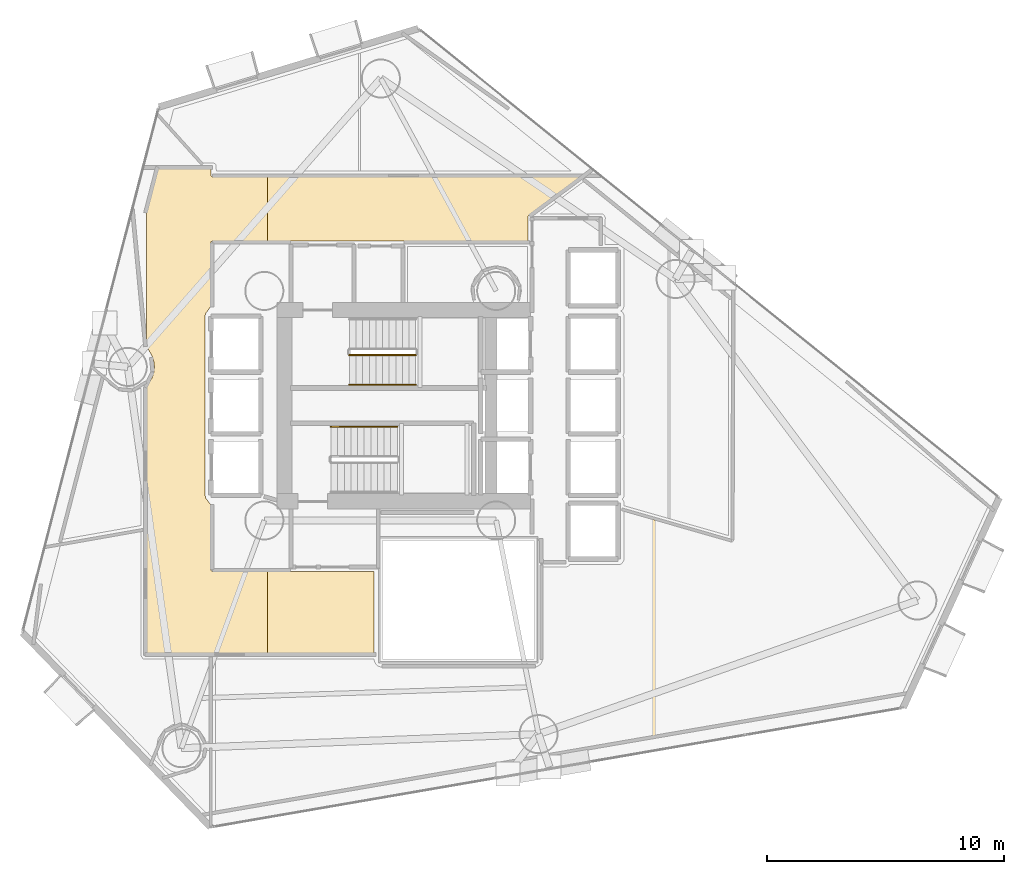
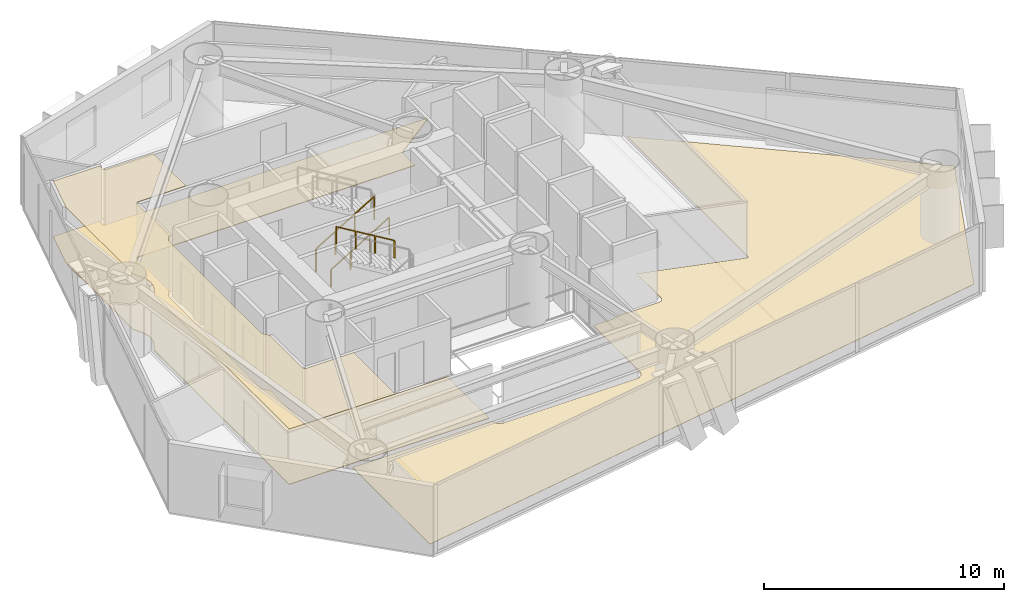
# One storey, part 21 of 23: 3 coverings, 3 railings.
"""IFC4 building model written with IfcOpenShell, lengths in metres."""

from ifc_helpers import new_model, si_unit, direction, frame, origin, origin_2d, place, context, subcontext, project, spatial, polyline, rectangle, outline, extrude, material, layer, layer_set, type_object, element, save


model = new_model("IFC4")

# Units and contexts
model_context = context("Model", 3, precision=1e-05, world=origin(), true_north=direction((0.0, 1.0)))
body_context = subcontext(model_context, "Body", "Model", "MODEL_VIEW")
ifc_project = project(units=[si_unit("LENGTHUNIT", "METRE"), si_unit("AREAUNIT", "SQUARE_METRE"), si_unit("VOLUMEUNIT", "CUBIC_METRE"), si_unit("PLANEANGLEUNIT", "RADIAN"), si_unit("MASSUNIT", "GRAM", prefix="KILO")], contexts=[model_context])

# Site, building, storey
site_placement = place(None, origin())
site = spatial("IfcSite", under=ifc_project, at=site_placement, CompositionType="ELEMENT")
building_placement = place(site_placement, origin())
building = spatial("IfcBuilding", under=site, at=building_placement, Name="Qianvela Tower", CompositionType="ELEMENT")
storey_placement = place(building_placement, frame((0.0, 0.0, 82.10009765625)))
storey = spatial("IfcBuildingStorey", under=building, at=storey_placement, Name="L20", CompositionType="ELEMENT", Elevation=82.10009765625)

# Coverings
ifc_material_1 = material(Name="Perforated Mineral Acoustic Ceiling Tile")
ifc_layer_1 = layer(ifc_material_1, 0.02490234375)
ifc_layer_set_1 = layer_set([ifc_layer_1], Name="Perforated Mineral Acoustic Ceiling Tile")
covering_type_1 = type_object("IfcCoveringType", Name="COV-CEIL-ACOUSTIC-25", PredefinedType="CEILING", material=ifc_layer_set_1)
covering_1_placement = place(storey_placement, frame((0.0, 0.0, 2.81494140625)))
element("IfcCovering", 1, at=covering_1_placement, inside=storey, type_object=covering_type_1, Name="L20 Acoustic Ceiling Bay 1 L20 Floor Corridor", PredefinedType="CEILING", context=body_context, shape_type="SweptSolid", body=[
    extrude(outline(polyline([(23.868408203125, 30.7705078125), (23.864990234375, 30.777587890625), (23.6298828125, 31.21728515625), (23.6298828125, 36.85400390625), (24.11474609375, 38.719970703125), (26.340087890625, 38.719970703125), (26.340087890625, 38.449951171875), (26.34033203125, 38.442138671875), (26.341552734375, 38.434326171875), (26.343505859375, 38.4267578125), (26.34619140625, 38.41943359375), (26.349365234375, 38.412353515625), (26.353515625, 38.405517578125), (26.358154296875, 38.399169921875), (26.36328125, 38.393310546875), (26.369140625, 38.38818359375), (26.37548828125, 38.383544921875), (26.38232421875, 38.37939453125), (26.389404296875, 38.376220703125), (26.396728515625, 38.373291015625), (26.404296875, 38.37158203125), (26.412109375, 38.370361328125), (26.419921875, 38.3701171875), (28.72802734375, 38.3701171875), (28.72802734375, 35.659912109375), (26.419921875, 35.659912109375), (26.412109375, 35.65966796875), (26.404296875, 35.658447265625), (26.396728515625, 35.656494140625), (26.389404296875, 35.65380859375), (26.38232421875, 35.650634765625), (26.37548828125, 35.646484375), (26.369140625, 35.641845703125), (26.36328125, 35.63671875), (26.358154296875, 35.630859375), (26.353515625, 35.62451171875), (26.349365234375, 35.61767578125), (26.34619140625, 35.610595703125), (26.343505859375, 35.603271484375), (26.341552734375, 35.595703125), (26.34033203125, 35.587890625), (26.340087890625, 35.580078125), (26.340087890625, 32.89599609375), (26.139404296875, 32.62548828125), (26.135498046875, 32.61962890625), (26.132080078125, 32.61376953125), (26.12939453125, 32.607421875), (26.126953125, 32.60107421875), (26.103515625, 32.523193359375), (26.1015625, 32.515625), (26.100341796875, 32.5078125), (26.10009765625, 32.5), (26.10009765625, 24.89990234375), (26.100341796875, 24.89208984375), (26.1015625, 24.884521484375), (26.103515625, 24.876708984375), (26.126953125, 24.799072265625), (26.12939453125, 24.79248046875), (26.132080078125, 24.786376953125), (26.135498046875, 24.7802734375), (26.139404296875, 24.774658203125), (26.340087890625, 24.50390625), (26.340087890625, 21.780029296875), (26.34033203125, 21.772216796875), (26.341552734375, 21.764404296875), (26.343505859375, 21.7568359375), (26.34619140625, 21.74951171875), (26.349365234375, 21.7421875), (26.353515625, 21.735595703125), (26.358154296875, 21.729248046875), (26.36328125, 21.723388671875), (26.369140625, 21.71826171875), (26.37548828125, 21.71337890625), (26.38232421875, 21.70947265625), (26.389404296875, 21.7060546875), (26.396728515625, 21.703369140625), (26.404296875, 21.701416015625), (26.412109375, 21.700439453125), (26.419921875, 21.699951171875), (28.72802734375, 21.699951171875), (28.72802734375, 18.22998046875), (23.6298828125, 18.22998046875), (23.6298828125, 29.462646484375), (23.864990234375, 29.90234375), (23.868408203125, 29.909423828125), (23.87109375, 29.9169921875), (23.930419921875, 30.11279296875), (23.932373046875, 30.12060546875), (23.93359375, 30.12841796875), (23.95361328125, 30.332275390625), (23.9541015625, 30.340087890625), (23.95361328125, 30.347900390625), (23.93359375, 30.5517578125), (23.932373046875, 30.5595703125), (23.930419921875, 30.567138671875), (23.87109375, 30.76318359375), (23.868408203125, 30.7705078125)])), origin(), (0.0, 0.0, 1.0), 0.02490234375),
])
ifc_material_2 = material(Name="Engineered Acoustic Oak Timber Flooring", Category="wood")
ifc_layer_2 = layer(ifc_material_2, 0.02001953125)
ifc_layer_set_2 = layer_set([ifc_layer_2], Name="Engineered Acoustic Oak Timber Flooring")
covering_type_2 = type_object("IfcCoveringType", Name="COV-FLOOR-OAK-20", PredefinedType="FLOORING", material=ifc_layer_set_2)
covering_2_placement = place(storey_placement, origin())
element("IfcCovering", 2, at=covering_2_placement, inside=storey, type_object=covering_type_2, Name="L20 Finish Flooring Graduate Seminar Classroom L20-02", PredefinedType="FLOORING", context=body_context, shape_type="SweptSolid", body=[
    extrude(outline(polyline([(48.432861328125, 33.076416015625), (59.172119140625, 24.406982421875), (55.584716796875, 16.56494140625), (26.5322265625, 11.55029296875), (26.5322265625, 17.989990234375), (33.243408203125, 17.989990234375), (33.24560546875, 17.94189453125), (33.24609375, 17.93505859375), (33.247314453125, 17.927978515625), (33.2490234375, 17.92138671875), (33.25146484375, 17.914794921875), (33.293212890625, 17.813720703125), (33.296630859375, 17.806640625), (33.30078125, 17.800048828125), (33.305419921875, 17.793701171875), (33.310546875, 17.787841796875), (33.387939453125, 17.710693359375), (33.39306640625, 17.705810546875), (33.398681640625, 17.70166015625), (33.40478515625, 17.69775390625), (33.410888671875, 17.694580078125), (33.41748046875, 17.69189453125), (33.545654296875, 17.64599609375), (33.55224609375, 17.64404296875), (33.558837890625, 17.642578125), (33.565673828125, 17.6416015625), (33.572509765625, 17.641357421875), (40.0546875, 17.6455078125), (40.063232421875, 17.64599609375), (40.07177734375, 17.647216796875), (40.080078125, 17.6494140625), (40.088134765625, 17.652587890625), (40.095703125, 17.65673828125), (40.257568359375, 17.75390625), (40.263671875, 17.7578125), (40.269287109375, 17.76220703125), (40.274658203125, 17.767333984375), (40.279296875, 17.77294921875), (40.28369140625, 17.77880859375), (40.287353515625, 17.78515625), (40.290283203125, 17.791748046875), (40.3525390625, 17.94189453125), (40.355224609375, 17.94921875), (40.357177734375, 17.956787109375), (40.3583984375, 17.964599609375), (40.358642578125, 17.972412109375), (40.360107421875, 21.889892578125), (41.367919921875, 21.890380859375), (41.375732421875, 21.890869140625), (41.383544921875, 21.891845703125), (41.39111328125, 21.893798828125), (41.3984375, 21.896484375), (41.405517578125, 21.89990234375), (41.45947265625, 21.9287109375), (41.46630859375, 21.932861328125), (41.472900390625, 21.9375), (41.478759765625, 21.943115234375), (41.48388671875, 21.948974609375), (41.48876953125, 21.955322265625), (41.492919921875, 21.96240234375), (41.49609375, 21.969482421875), (41.498779296875, 21.97705078125), (41.49951171875, 21.97998046875), (43.580078125, 21.97998046875), (43.587890625, 21.98046875), (43.595703125, 21.9814453125), (43.603271484375, 21.9833984375), (43.680908203125, 22.007080078125), (43.6884765625, 22.009765625), (43.695556640625, 22.012939453125), (43.7021484375, 22.01708984375), (43.70849609375, 22.021728515625), (43.71435546875, 22.027099609375), (43.719482421875, 22.03271484375), (43.724365234375, 22.0390625), (43.728271484375, 22.0458984375), (43.79052734375, 22.162353515625), (43.7939453125, 22.16943359375), (43.796630859375, 22.1767578125), (43.798583984375, 22.184326171875), (43.799560546875, 22.192138671875), (43.800048828125, 22.199951171875), (43.800048828125, 24.24658203125), (48.330810546875, 22.948974609375), (48.33837890625, 22.947265625), (48.34619140625, 22.9462890625), (48.35400390625, 22.94580078125), (48.36181640625, 22.9462890625), (48.369384765625, 22.947509765625), (48.376953125, 22.94970703125), (48.38427734375, 22.952392578125), (48.391357421875, 22.955810546875), (48.39794921875, 22.959716796875), (48.404052734375, 22.96435546875), (48.409912109375, 22.9697265625), (48.4150390625, 22.9755859375), (48.419677734375, 22.981689453125), (48.423583984375, 22.988525390625), (48.427001953125, 22.99560546875), (48.429443359375, 23.0029296875), (48.431396484375, 23.010498046875), (48.4326171875, 23.01806640625), (48.432861328125, 23.02587890625), (48.432861328125, 33.076416015625)])), origin(), (0.0, 0.0, 1.0), 0.02001953125),
])
ifc_material_3 = material(Name="Honed Stone Terrazzo Flooring", Category="masonry")
ifc_layer_3 = layer(ifc_material_3, 0.030029296875)
ifc_layer_set_3 = layer_set([ifc_layer_3], Name="Honed Stone Terrazzo Flooring")
covering_type_3 = type_object("IfcCoveringType", Name="COV-FLOOR-TERRAZZO-30", PredefinedType="FLOORING", material=ifc_layer_set_3)
covering_3_placement = place(storey_placement, origin())
element("IfcCovering", 3, at=covering_3_placement, inside=storey, type_object=covering_type_3, Name="L20 Finish Flooring L20 Floor Corridor", PredefinedType="FLOORING", context=body_context, shape_type="SweptSolid", body=[
    extrude(outline(polyline([(23.87109375, 30.76318359375), (23.868408203125, 30.7705078125), (23.864990234375, 30.777587890625), (23.6298828125, 31.21728515625), (23.6298828125, 36.85400390625), (24.11474609375, 38.719970703125), (26.340087890625, 38.719970703125), (26.340087890625, 38.449951171875), (26.34033203125, 38.442138671875), (26.341552734375, 38.434326171875), (26.343505859375, 38.4267578125), (26.34619140625, 38.41943359375), (26.349365234375, 38.412353515625), (26.353515625, 38.405517578125), (26.358154296875, 38.399169921875), (26.36328125, 38.393310546875), (26.369140625, 38.38818359375), (26.37548828125, 38.383544921875), (26.38232421875, 38.37939453125), (26.389404296875, 38.376220703125), (26.396728515625, 38.373291015625), (26.404296875, 38.37158203125), (26.412109375, 38.370361328125), (26.419921875, 38.3701171875), (41.875732421875, 38.3701171875), (41.91650390625, 38.3369140625), (39.784423828125, 36.753662109375), (39.778076171875, 36.748291015625), (39.772216796875, 36.742431640625), (39.76708984375, 36.736083984375), (39.7626953125, 36.729248046875), (39.759033203125, 36.721923828125), (39.756103515625, 36.71435546875), (39.75390625, 36.70654296875), (39.752685546875, 36.698486328125), (39.752197265625, 36.690185546875), (39.739013671875, 35.659912109375), (26.419921875, 35.659912109375), (26.412109375, 35.65966796875), (26.404296875, 35.658447265625), (26.396728515625, 35.656494140625), (26.389404296875, 35.65380859375), (26.38232421875, 35.650634765625), (26.37548828125, 35.646484375), (26.369140625, 35.641845703125), (26.36328125, 35.63671875), (26.358154296875, 35.630859375), (26.353515625, 35.62451171875), (26.349365234375, 35.61767578125), (26.34619140625, 35.610595703125), (26.343505859375, 35.603271484375), (26.341552734375, 35.595703125), (26.34033203125, 35.587890625), (26.340087890625, 35.580078125), (26.340087890625, 32.89599609375), (26.139404296875, 32.62548828125), (26.135498046875, 32.61962890625), (26.132080078125, 32.61376953125), (26.12939453125, 32.607421875), (26.126953125, 32.60107421875), (26.103515625, 32.523193359375), (26.1015625, 32.515625), (26.100341796875, 32.5078125), (26.10009765625, 32.5), (26.10009765625, 24.89990234375), (26.100341796875, 24.89208984375), (26.1015625, 24.884521484375), (26.103515625, 24.876708984375), (26.126953125, 24.799072265625), (26.12939453125, 24.79248046875), (26.132080078125, 24.786376953125), (26.135498046875, 24.7802734375), (26.139404296875, 24.774658203125), (26.340087890625, 24.50390625), (26.340087890625, 21.780029296875), (26.34033203125, 21.772216796875), (26.341552734375, 21.764404296875), (26.343505859375, 21.7568359375), (26.34619140625, 21.74951171875), (26.349365234375, 21.7421875), (26.353515625, 21.735595703125), (26.358154296875, 21.729248046875), (26.36328125, 21.723388671875), (26.369140625, 21.71826171875), (26.37548828125, 21.71337890625), (26.38232421875, 21.70947265625), (26.389404296875, 21.7060546875), (26.396728515625, 21.703369140625), (26.404296875, 21.701416015625), (26.412109375, 21.700439453125), (26.419921875, 21.699951171875), (33.239990234375, 21.699951171875), (33.239990234375, 18.22998046875), (23.6298828125, 18.22998046875), (23.6298828125, 29.462646484375), (23.864990234375, 29.90234375), (23.868408203125, 29.909423828125), (23.87109375, 29.9169921875), (23.930419921875, 30.11279296875), (23.932373046875, 30.12060546875), (23.93359375, 30.12841796875), (23.95361328125, 30.332275390625), (23.9541015625, 30.340087890625), (23.95361328125, 30.347900390625), (23.93359375, 30.5517578125), (23.932373046875, 30.5595703125), (23.930419921875, 30.567138671875), (23.87109375, 30.76318359375)])), origin(), (0.0, 0.0, 1.0), 0.02978515625),
])

# Railings
ifc_material_4 = material(Name="Painted Tubular Steel Q355B", Category="steel")
railing_type_1 = type_object("IfcRailingType", Name="RL-STAIR-GUARD-1200", PredefinedType="GUARDRAIL", material=ifc_material_4)
railing_1_placement = place(storey_placement, frame((32.199951171875, 30.840087890625, 0.16796875)))
element("IfcRailing", 4, at=railing_1_placement, inside=storey, type_object=railing_type_1, Name="L20 ST-1 stair guard 1", PredefinedType="GUARDRAIL", context=body_context, shape_type="SweptSolid", body=[
    extrude(rectangle(XDim=0.050048828125, YDim=0.0400390625, at=origin_2d()), frame((0.0, 0.0, 1.179931640625), z_axis=(0.857242210791, 0.0, 0.514913383045), x_axis=(0.0, 1.0, 0.0)), (0.0, 0.0, 1.0), 3.266357421875),
    extrude(rectangle(XDim=0.050048828125, YDim=0.050048828125, at=origin_2d()), origin(), (0.0, 0.0, 1.0), 1.159912109375),
    extrude(rectangle(XDim=0.050048828125, YDim=0.050048828125, at=origin_2d()), frame((0.933349609375, 0.0, 0.560546875)), (0.0, 0.0, 1.0), 1.159912109375),
    extrude(rectangle(XDim=0.050048828125, YDim=0.050048828125, at=origin_2d()), frame((1.86669921875, 0.0, 1.121337890625)), (0.0, 0.0, 1.0), 1.159912109375),
    extrude(rectangle(XDim=0.050048828125, YDim=0.050048828125, at=origin_2d()), frame((2.800048828125, 0.0, 1.681884765625)), (0.0, 0.0, 1.0), 1.159912109375),
])
ifc_material_5 = material(Name="Brushed Stainless Steel 304", Category="steel")
railing_type_2 = type_object("IfcRailingType", Name="RL-STAIR-HANDRAIL-900", PredefinedType="HANDRAIL", material=ifc_material_5)
railing_2_placement = place(storey_placement, frame((32.199951171875, 29.590087890625, 0.16796875)))
element("IfcRailing", 5, at=railing_2_placement, inside=storey, type_object=railing_type_2, Name="L20 ST-1 stair handrail 1", PredefinedType="HANDRAIL", context=body_context, shape_type="SweptSolid", body=[
    extrude(rectangle(XDim=0.050048828125, YDim=0.0400390625, at=origin_2d()), frame((0.0, 0.0, 0.8798828125), z_axis=(0.857242210791, 0.0, 0.514913383045), x_axis=(0.0, 1.0, 0.0)), (0.0, 0.0, 1.0), 3.266357421875),
    extrude(rectangle(XDim=0.050048828125, YDim=0.050048828125, at=origin_2d()), origin(), (0.0, 0.0, 1.0), 0.85986328125),
    extrude(rectangle(XDim=0.050048828125, YDim=0.050048828125, at=origin_2d()), frame((0.933349609375, 0.0, 0.560546875)), (0.0, 0.0, 1.0), 0.85986328125),
    extrude(rectangle(XDim=0.050048828125, YDim=0.050048828125, at=origin_2d()), frame((1.86669921875, 0.0, 1.121337890625)), (0.0, 0.0, 1.0), 0.85986328125),
    extrude(rectangle(XDim=0.050048828125, YDim=0.050048828125, at=origin_2d()), frame((2.800048828125, 0.0, 1.681884765625)), (0.0, 0.0, 1.0), 0.85986328125),
])
railing_3_placement = place(storey_placement, frame((34.219970703125, 27.81005859375, 2.01806640625)))
element("IfcRailing", 6, at=railing_3_placement, inside=storey, type_object=railing_type_2, Name="L20 ST-2 stair handrail 2", PredefinedType="HANDRAIL", context=body_context, shape_type="SweptSolid", body=[
    extrude(rectangle(XDim=0.050048828125, YDim=0.0400390625, at=origin_2d()), frame((0.0, 0.0, 0.8798828125), z_axis=(-0.857242210791, 0.0, 0.514913383045), x_axis=(0.0, -1.0, 0.0)), (0.0, 0.0, 1.0), 3.266357421875),
    extrude(rectangle(XDim=0.050048828125, YDim=0.050048828125, at=origin_2d()), origin(), (0.0, 0.0, 1.0), 0.85986328125),
    extrude(rectangle(XDim=0.050048828125, YDim=0.050048828125, at=origin_2d()), frame((-0.933349609375, 0.0, 0.560546875)), (0.0, 0.0, 1.0), 0.85986328125),
    extrude(rectangle(XDim=0.050048828125, YDim=0.050048828125, at=origin_2d()), frame((-1.86669921875, 0.0, 1.121337890625)), (0.0, 0.0, 1.0), 0.85986328125),
    extrude(rectangle(XDim=0.050048828125, YDim=0.050048828125, at=origin_2d()), frame((-2.800048828125, 0.0, 1.681884765625)), (0.0, 0.0, 1.0), 0.85986328125),
])

save(model, "model.ifc")
